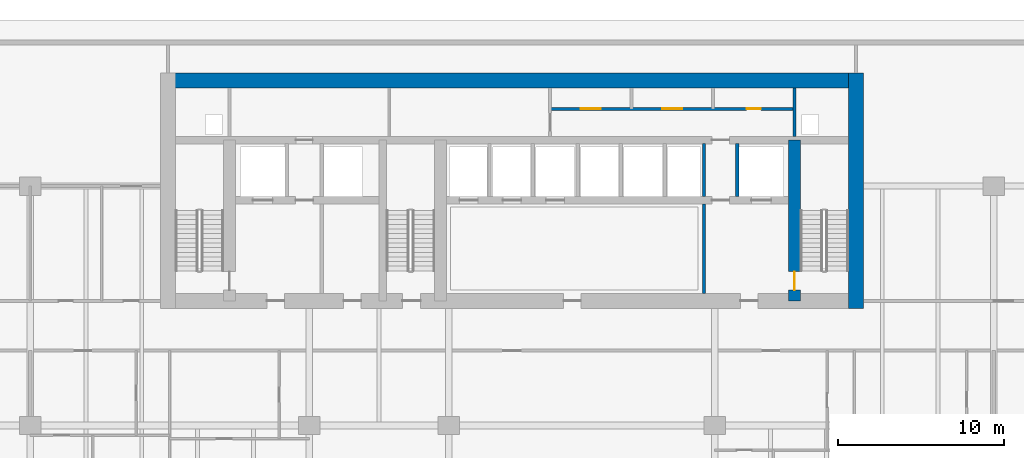
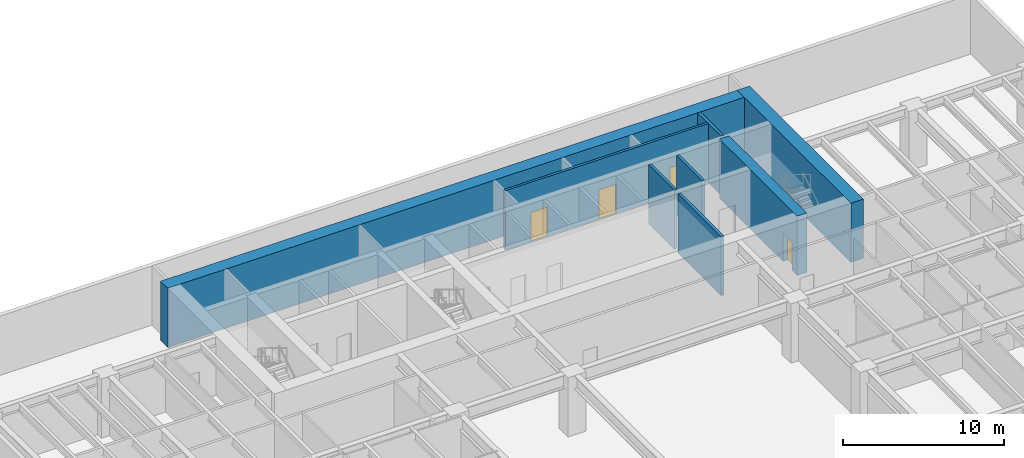
# One storey, part 11 of 17: 8 walls, 4 doors, 4 openings.
"""IFC4 building model written with IfcOpenShell, lengths in metres."""

from ifc_helpers import new_model, si_unit, direction, frame, frame_2d, origin, place, context, subcontext, project, spatial, rectangle, extrude, material, layer, layer_set, type_object, element, fill, save


model = new_model("IFC4")

# Units and contexts
model_context = context("Model", 3, precision=1e-05, world=origin(), true_north=direction((0.0, 1.0)))
body_context = subcontext(model_context, "Body", "Model", "MODEL_VIEW")
ifc_project = project(units=[si_unit("LENGTHUNIT", "METRE"), si_unit("AREAUNIT", "SQUARE_METRE"), si_unit("VOLUMEUNIT", "CUBIC_METRE"), si_unit("PLANEANGLEUNIT", "RADIAN"), si_unit("MASSUNIT", "GRAM", prefix="KILO")], contexts=[model_context])

# Site, building, storey
site_placement = place(None, origin())
site = spatial("IfcSite", under=ifc_project, at=site_placement, CompositionType="ELEMENT")
building_placement = place(site_placement, origin())
building = spatial("IfcBuilding", under=site, at=building_placement, Name="Caelmar Bay Residences", CompositionType="ELEMENT")
storey_placement = place(building_placement, frame((0.0, 0.0, 10.199951171875)))
storey = spatial("IfcBuildingStorey", under=building, at=storey_placement, Name="L02", CompositionType="ELEMENT", Elevation=10.199951171875)

# Wall, opening, door
ifc_material_1 = material(Name="Concrete f'c 55 MPa (8,000 psi)", Category="concrete")
ifc_layer_1 = layer(ifc_material_1, 0.699951171875)
ifc_layer_set_1 = layer_set([ifc_layer_1], Name="Concrete f'c 55 MPa (8,000 psi)")
wall_type_1 = type_object("IfcWallType", Name="SW-COR-700", PredefinedType="SHEAR", material=ifc_layer_set_1)
wall_1_placement = place(storey_placement, frame((55.89990234375, 36.89990234375, 0.0), z_axis=(0.0, 0.0, 1.0), x_axis=(0.0, 1.0, 0.0)))
wall_1 = element("IfcWall", 1, at=wall_1_placement, inside=storey, type_object=wall_type_1, Name="L02 Core Structural Web Wall ST2W", PredefinedType="SHEAR", context=body_context, shape_type="SweptSolid", body=[
    extrude(rectangle(XDim=9.675048828125, YDim=0.699951171875, at=frame_2d((4.83740234375, 0.0))), origin(), (0.0, 0.0, 1.0), 4.5),
])
opening_1_placement = place(wall_1_placement, frame((0.64990234375, 0.0, 0.0)))
opening_1 = element("IfcOpeningElement", 2, at=opening_1_placement, cuts=wall_1, Name="Opening D-L02-111", PredefinedType="OPENING", context=body_context, shape_type="SweptSolid", body=[
    extrude(rectangle(XDim=1.10009765625, YDim=2.14990234375, at=frame_2d((0.550048828125, 1.074951171875))), frame((0.0, 0.35986328125, 0.0), z_axis=(0.0, -1.0, 0.0), x_axis=(1.0, 0.0, 0.0)), (0.0, 0.0, 1.0), 0.719970703125),
])
ifc_material_2 = material(Name="Fire-rated steel and walnut architectural door assembly", Category="steel")
ifc_layer_2 = layer(ifc_material_2, 0.050048828125)
ifc_layer_set_2 = layer_set([ifc_layer_2], Name="Fire-rated steel and walnut architectural door assembly")
door_type_1 = type_object("IfcDoorType", Name="D-STAIR-1100", OperationType="NOTDEFINED", PredefinedType="DOOR", material=ifc_layer_set_2)
door_1_placement = place(opening_1_placement, origin())
door_1 = element("IfcDoor", 3, at=door_1_placement, inside=storey, type_object=door_type_1, Name="L02 Firefighting Lobby East Door", OperationType="SINGLE_SWING_LEFT", OverallHeight=2.14990234375, OverallWidth=1.10009765625, PredefinedType="DOOR", context=body_context, shape_type="SweptSolid", body=[
    extrude(rectangle(XDim=1.10009765625, YDim=2.14990234375, at=frame_2d((0.550048828125, 1.074951171875))), frame((0.0, 0.02490234375, 0.0), z_axis=(0.0, -1.0, 0.0), x_axis=(1.0, 0.0, 0.0)), (0.0, 0.0, 1.0), 0.050048828125),
])
fill(opening_1, door_1)

# Walls
ifc_material_3 = material(Name="Concrete f'c 70 MPa (10,000 psi)", Category="concrete")
ifc_layer_3 = layer(ifc_material_3, 0.89990234375)
ifc_layer_set_3 = layer_set([ifc_layer_3], Name="Concrete f'c 70 MPa (10,000 psi)")
wall_type_2 = type_object("IfcWallType", Name="SW-COR-900", PredefinedType="SHEAR", material=ifc_layer_set_3)
wall_2_placement = place(storey_placement, frame((17.75, 50.14990234375, 0.0), z_axis=(0.0, 0.0, 1.0), x_axis=(1.0, 0.0, 0.0)))
element("IfcWall", 4, at=wall_2_placement, inside=storey, type_object=wall_type_2, Name="L02 Rear Core North Shear Wall", PredefinedType="SHEAR", context=body_context, shape_type="SweptSolid", body=[
    extrude(rectangle(XDim=42.300048828125, YDim=0.89990234375, at=frame_2d((21.14990234375, 0.0))), origin(), (0.0, 0.0, 1.0), 4.5),
])
wall_3_placement = place(storey_placement, frame((59.60009765625, 36.449951171875, 0.0), z_axis=(0.0, 0.0, 1.0), x_axis=(0.0, 1.0, 0.0)))
element("IfcWall", 5, at=wall_3_placement, inside=storey, type_object=wall_type_2, Name="L02 Rear Core East Shear Wall", PredefinedType="SHEAR", context=body_context, shape_type="SweptSolid", body=[
    extrude(rectangle(XDim=14.150146484375, YDim=0.89990234375, at=frame_2d((7.0751953125, 0.0))), origin(), (0.0, 0.0, 1.0), 4.5),
])

# Wall, openings, doors
ifc_material_4 = material(Name="Double-stud acoustic fire-rated gypsum partition 180 mm")
ifc_layer_4 = layer(ifc_material_4, 0.179931640625)
ifc_layer_set_4 = layer_set([ifc_layer_4], Name="Double-stud acoustic fire-rated gypsum partition 180 mm")
wall_type_3 = type_object("IfcWallType", Name="W-COR-200", PredefinedType="PARTITIONING", material=ifc_layer_set_4)
wall_4_placement = place(storey_placement, frame((41.199951171875, 48.449951171875, 0.0), z_axis=(0.0, 0.0, 1.0), x_axis=(1.0, 0.0, 0.0)))
wall_4 = element("IfcWall", 6, at=wall_4_placement, inside=storey, type_object=wall_type_3, Name="L02 Partition Wall H048", PredefinedType="PARTITIONING", context=body_context, shape_type="SweptSolid", body=[
    extrude(rectangle(XDim=14.699951171875, YDim=0.179931640625, at=frame_2d((7.35009765625, 0.0))), origin(), (0.0, 0.0, 1.0), 4.5),
])
opening_2_placement = place(wall_4_placement, frame((1.85009765625, 0.0, 0.0)))
opening_2 = element("IfcOpeningElement", 7, at=opening_2_placement, cuts=wall_4, Name="Opening D-L02-118", PredefinedType="OPENING", context=body_context, shape_type="SweptSolid", body=[
    extrude(rectangle(XDim=1.199951171875, YDim=2.199951171875, at=frame_2d((0.60009765625, 1.10009765625))), frame((0.0, 0.099853515625, 0.0), z_axis=(0.0, -1.0, 0.0), x_axis=(1.0, 0.0, 0.0)), (0.0, 0.0, 1.0), 0.199951171875),
])
opening_3_placement = place(wall_4_placement, frame((6.75, 0.0, 0.0)))
opening_3 = element("IfcOpeningElement", 8, at=opening_3_placement, cuts=wall_4, Name="Opening D-L02-119", PredefinedType="OPENING", context=body_context, shape_type="SweptSolid", body=[
    extrude(rectangle(XDim=1.199951171875, YDim=2.199951171875, at=frame_2d((0.60009765625, 1.10009765625))), frame((0.0, 0.099853515625, 0.0), z_axis=(0.0, -1.0, 0.0), x_axis=(1.0, 0.0, 0.0)), (0.0, 0.0, 1.0), 0.199951171875),
])
opening_4_placement = place(wall_4_placement, frame((11.824951171875, 0.0, 0.0)))
opening_4 = element("IfcOpeningElement", 9, at=opening_4_placement, cuts=wall_4, Name="Opening D-L02-120", PredefinedType="OPENING", context=body_context, shape_type="SweptSolid", body=[
    extrude(rectangle(XDim=0.85009765625, YDim=2.10009765625, at=frame_2d((0.425048828125, 1.050048828125))), frame((0.0, 0.099853515625, 0.0), z_axis=(0.0, -1.0, 0.0), x_axis=(1.0, 0.0, 0.0)), (0.0, 0.0, 1.0), 0.199951171875),
])
ifc_layer_5 = layer(ifc_material_2, 0.050048828125)
ifc_layer_set_5 = layer_set([ifc_layer_5], Name="Fire-rated steel and walnut architectural door assembly")
door_type_2 = type_object("IfcDoorType", Name="D-CORE-850", OperationType="NOTDEFINED", PredefinedType="DOOR", material=ifc_layer_set_5)
door_2_placement = place(opening_4_placement, origin())
door_2 = element("IfcDoor", 10, at=door_2_placement, inside=storey, type_object=door_type_2, Name="L02 Accessible Staff WC Door", OperationType="SINGLE_SWING_RIGHT", OverallHeight=2.10009765625, OverallWidth=0.85009765625, PredefinedType="DOOR", context=body_context, shape_type="SweptSolid", body=[
    extrude(rectangle(XDim=0.85009765625, YDim=2.10009765625, at=frame_2d((0.425048828125, 1.050048828125))), frame((0.0, 0.02490234375, 0.0), z_axis=(0.0, -1.0, 0.0), x_axis=(1.0, 0.0, 0.0)), (0.0, 0.0, 1.0), 0.050048828125),
])
fill(opening_4, door_2)
ifc_layer_6 = layer(ifc_material_2, 0.050048828125)
ifc_layer_set_6 = layer_set([ifc_layer_6], Name="Fire-rated steel and walnut architectural door assembly")
door_type_3 = type_object("IfcDoorType", Name="D-PLANT-1200", OperationType="NOTDEFINED", PredefinedType="DOOR", material=ifc_layer_set_6)
door_3_placement = place(opening_2_placement, origin())
door_3 = element("IfcDoor", 11, at=door_3_placement, inside=storey, type_object=door_type_3, Name="L02 Electrical Closet Door", OperationType="SINGLE_SWING_RIGHT", OverallHeight=2.199951171875, OverallWidth=1.199951171875, PredefinedType="DOOR", context=body_context, shape_type="SweptSolid", body=[
    extrude(rectangle(XDim=1.199951171875, YDim=2.199951171875, at=frame_2d((0.60009765625, 1.10009765625))), frame((0.0, 0.02490234375, 0.0), z_axis=(0.0, -1.0, 0.0), x_axis=(1.0, 0.0, 0.0)), (0.0, 0.0, 1.0), 0.050048828125),
])
fill(opening_2, door_3)
door_4_placement = place(opening_3_placement, origin())
door_4 = element("IfcDoor", 12, at=door_4_placement, inside=storey, type_object=door_type_3, Name="L02 Housekeeping Linen Closet Door", OperationType="SINGLE_SWING_LEFT", OverallHeight=2.199951171875, OverallWidth=1.199951171875, PredefinedType="DOOR", context=body_context, shape_type="SweptSolid", body=[
    extrude(rectangle(XDim=1.199951171875, YDim=2.199951171875, at=frame_2d((0.60009765625, 1.10009765625))), frame((0.0, 0.02490234375, 0.0), z_axis=(0.0, -1.0, 0.0), x_axis=(1.0, 0.0, 0.0)), (0.0, 0.0, 1.0), 0.050048828125),
])
fill(opening_3, door_4)

# Walls
ifc_material_5 = material(Name="Fire-rated masonry and gypsum shaftliner assembly 200 mm", Category="masonry")
ifc_layer_7 = layer(ifc_material_5, 0.199951171875)
ifc_layer_set_7 = layer_set([ifc_layer_7], Name="Fire-rated masonry and gypsum shaftliner assembly 200 mm")
wall_type_4 = type_object("IfcWallType", Name="W-FSAE-200", PredefinedType="PARTITIONING", material=ifc_layer_set_7)
wall_5_placement = place(storey_placement, frame((50.449951171875, 37.344970703125, 0.0), z_axis=(0.0, 0.0, 1.0), x_axis=(0.0, 1.0, 0.0)))
element("IfcWall", 13, at=wall_5_placement, inside=storey, type_object=wall_type_4, Name="L02 Partition Wall V022", PredefinedType="PARTITIONING", context=body_context, shape_type="SweptSolid", body=[
    extrude(rectangle(XDim=5.385009765625, YDim=0.199951171875, at=frame_2d((2.6923828125, 0.0))), origin(), (0.0, 0.0, 1.0), 4.5),
])
for number, where, z_axis, x_axis, name in (
    (14, (50.449951171875, 43.169921875, 0.0), (0.0, 0.0, 1.0), (0.0, 1.0, 0.0), "L02 Partition Wall V023"),
    (15, (52.449951171875, 43.169921875, 0.0), (0.0, 0.0, 1.0), (0.0, 1.0, 0.0), "L02 Partition Wall V026"),
):
    element("IfcWall", number, at=place(storey_placement, frame(where, z_axis=z_axis, x_axis=x_axis)), inside=storey, type_object=wall_type_4, Name=name, PredefinedType="PARTITIONING", context=body_context, shape_type="SweptSolid", body=[
        extrude(rectangle(XDim=3.18505859375, YDim=0.199951171875, at=frame_2d((1.592529296875, 0.0))), origin(), (0.0, 0.0, 1.0), 4.5),
    ])
wall_6_placement = place(storey_placement, frame((55.89990234375, 46.794921875, 0.0), z_axis=(0.0, 0.0, 1.0), x_axis=(0.0, 1.0, 0.0)))
element("IfcWall", 16, at=wall_6_placement, inside=storey, type_object=wall_type_4, Name="L02 Partition Wall V028", PredefinedType="PARTITIONING", context=body_context, shape_type="SweptSolid", body=[
    extrude(rectangle(XDim=2.91015625, YDim=0.199951171875, at=frame_2d((1.455078125, 0.0))), origin(), (0.0, 0.0, 1.0), 4.5),
])

save(model, "model.ifc")
